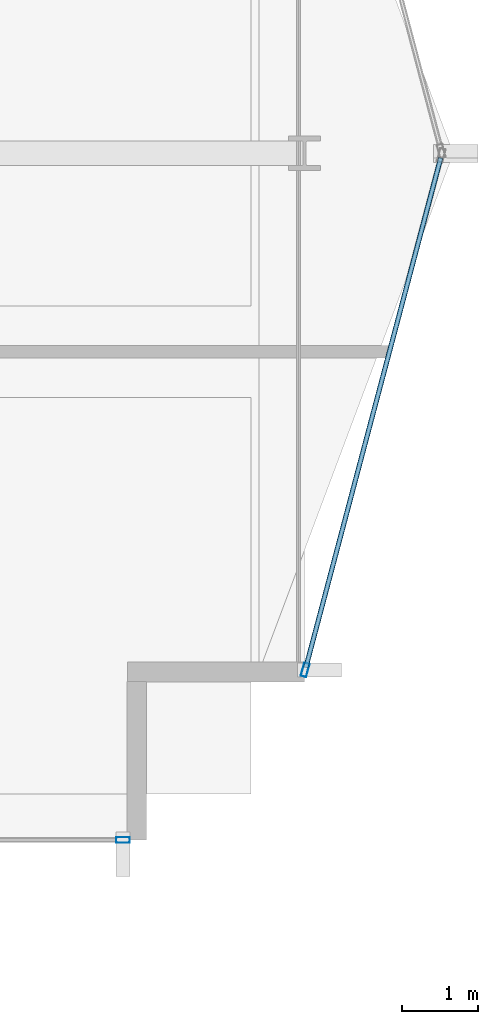
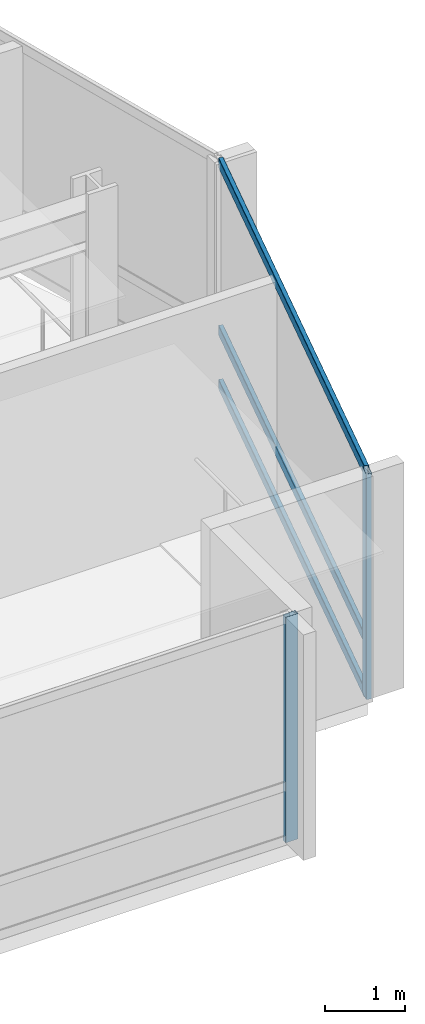
# One storey, part 11 of 29: 5 members, 2 elements without a shape of their own.
"""IFC4 building model written with IfcOpenShell, lengths in metres."""

from ifc_helpers import new_model, si_unit, direction, frame, origin, origin_2d, place, context, subcontext, project, spatial, hollow_rectangle, extrude, material, layer, layer_set, material_profile, profile_set, type_object, element, aggregate, save


model = new_model("IFC4")

# Units and contexts
model_context = context("Model", 3, precision=1e-05, world=origin(), true_north=direction((0.0, 1.0)))
body_context = subcontext(model_context, "Body", "Model", "MODEL_VIEW")
ifc_project = project(units=[si_unit("LENGTHUNIT", "METRE"), si_unit("AREAUNIT", "SQUARE_METRE"), si_unit("VOLUMEUNIT", "CUBIC_METRE"), si_unit("PLANEANGLEUNIT", "RADIAN"), si_unit("MASSUNIT", "GRAM", prefix="KILO")], contexts=[model_context])

# Site, building, storey
site_placement = place(None, origin())
site = spatial("IfcSite", under=ifc_project, at=site_placement, CompositionType="ELEMENT")
building_placement = place(site_placement, origin())
building = spatial("IfcBuilding", under=site, at=building_placement, Name="Solvaryn Broadcast Tower", CompositionType="ELEMENT")
storey_placement = place(building_placement, frame((0.0, 0.0, 113.699951171875)))
storey = spatial("IfcBuildingStorey", under=building, at=storey_placement, Name="L27", CompositionType="ELEMENT", Elevation=113.699951171875)

# Curtain wall, member
ifc_material_1 = material(Name="Aluminium and Terracotta Unitised Curtain Wall", Category="masonry")
ifc_layer = layer(ifc_material_1, 0.199951171875)
ifc_layer_set = layer_set([ifc_layer], Name="CW-SYS2-LOWMID")
curtain_wall_type = type_object("IfcCurtainWallType", Name="CW-SYS2-LOWMID", PredefinedType="NOTDEFINED", material=ifc_layer_set)
curtain_wall_1_placement = place(storey_placement, origin())
curtain_wall_1 = element("IfcCurtainWall", 1, at=curtain_wall_1_placement, inside=storey, type_object=curtain_wall_type, Name="L27 Curtain Wall S2", PredefinedType="NOTDEFINED")
ifc_material_2 = material(Name="Anodised Aluminium 6063-T6", Category="aluminium")
ifc_material_profile_1 = material_profile(ifc_material_2, hollow_rectangle(XDim=0.074951171875, YDim=0.179931640625, WallThickness=0.00390625, InnerFilletRadius=0.00390625, OuterFilletRadius=0.008056640625, at=origin_2d()))
ifc_profile_set_1 = profile_set([ifc_material_profile_1], Name="Anodised Aluminium 6063-T6")
member_type_1 = type_object("IfcMemberType", Name="CW-MUL-180", PredefinedType="MULLION", material=ifc_profile_set_1)
member_1_placement = place(storey_placement, frame((51.6201171875, 9.0, 0.0), z_axis=(0.0, 0.0, 1.0), x_axis=(0.0, 1.0, 0.0)))
member_1 = element("IfcMember", 2, at=member_1_placement, type_object=member_type_1, Name="CWS2 mullion 2", PredefinedType="MULLION", context=body_context, shape_type="SweptSolid", body=[
    extrude(hollow_rectangle(XDim=0.074951171875, YDim=0.179931640625, WallThickness=0.00390625, InnerFilletRadius=0.00390625, OuterFilletRadius=0.008056640625, at=origin_2d()), origin(), (0.0, 0.0, 1.0), 3.420166015625),
])
aggregate(curtain_wall_1, [member_1])

# Curtain wall, members
curtain_wall_2_placement = place(storey_placement, origin())
curtain_wall_2 = element("IfcCurtainWall", 3, at=curtain_wall_2_placement, inside=storey, type_object=curtain_wall_type, Name="L27 Curtain Wall ET2", PredefinedType="NOTDEFINED")
member_2_placement = place(storey_placement, frame((54.007568359375, 11.22900390625, 0.0), z_axis=(0.0, 0.0, 1.0), x_axis=(0.966705227863, -0.25589256031, 0.0)))
member_2 = element("IfcMember", 4, at=member_2_placement, type_object=member_type_1, Name="CWS2 mullion 2", PredefinedType="MULLION", context=body_context, shape_type="SweptSolid", body=[
    extrude(hollow_rectangle(XDim=0.074951171875, YDim=0.179931640625, WallThickness=0.00390625, InnerFilletRadius=0.00390625, OuterFilletRadius=0.008056640625, at=origin_2d()), origin(), (0.0, 0.0, 1.0), 3.420166015625),
])
ifc_material_3 = material(Name="Anodised Aluminium 6063-T6", Category="aluminium")
ifc_material_profile_2 = material_profile(ifc_material_3, hollow_rectangle(XDim=0.06494140625, YDim=0.14990234375, WallThickness=0.00390625, InnerFilletRadius=0.00390625, OuterFilletRadius=0.008056640625, at=origin_2d()))
ifc_profile_set_2 = profile_set([ifc_material_profile_2], Name="Anodised Aluminium 6063-T6")
member_type_2 = type_object("IfcMemberType", Name="CW-TRN-150", PredefinedType="USERDEFINED", material=ifc_profile_set_2)
member_3_placement = place(storey_placement, frame((55.78466796875, 17.94189453125, 0.030029296875), z_axis=(-0.255897413051, -0.966703943301, 0.0), x_axis=(0.966703943301, -0.255897413051, 0.0)))
member_3 = element("IfcMember", 5, at=member_3_placement, type_object=member_type_2, Name="CWS2 transom 1.1", ObjectType="TRANSOM", PredefinedType="USERDEFINED", context=body_context, shape_type="SweptSolid", body=[
    extrude(hollow_rectangle(XDim=0.06494140625, YDim=0.14990234375, WallThickness=0.00390625, InnerFilletRadius=0.00390625, OuterFilletRadius=0.008056640625, at=origin_2d()), origin(), (0.0, 0.0, 1.0), 6.9140625),
])
member_4_placement = place(storey_placement, frame((55.78466796875, 17.94189453125, 0.85009765625), z_axis=(-0.255897413051, -0.966703943301, 0.0), x_axis=(0.966703943301, -0.255897413051, 0.0)))
member_4 = element("IfcMember", 6, at=member_4_placement, type_object=member_type_2, Name="CWS2 transom 1.2", ObjectType="TRANSOM", PredefinedType="USERDEFINED", context=body_context, shape_type="SweptSolid", body=[
    extrude(hollow_rectangle(XDim=0.06494140625, YDim=0.14990234375, WallThickness=0.00390625, InnerFilletRadius=0.00390625, OuterFilletRadius=0.008056640625, at=origin_2d()), origin(), (0.0, 0.0, 1.0), 6.9140625),
])
member_5_placement = place(storey_placement, frame((55.78466796875, 17.94189453125, 3.39013671875), z_axis=(-0.255897413051, -0.966703943301, 0.0), x_axis=(0.966703943301, -0.255897413051, 0.0)))
member_5 = element("IfcMember", 7, at=member_5_placement, type_object=member_type_2, Name="CWS2 transom 1.3", ObjectType="TRANSOM", PredefinedType="USERDEFINED", context=body_context, shape_type="SweptSolid", body=[
    extrude(hollow_rectangle(XDim=0.06494140625, YDim=0.14990234375, WallThickness=0.00390625, InnerFilletRadius=0.00390625, OuterFilletRadius=0.008056640625, at=origin_2d()), origin(), (0.0, 0.0, 1.0), 6.9140625),
])
aggregate(curtain_wall_2, [member_2, member_3, member_4, member_5])

save(model, "model.ifc")
